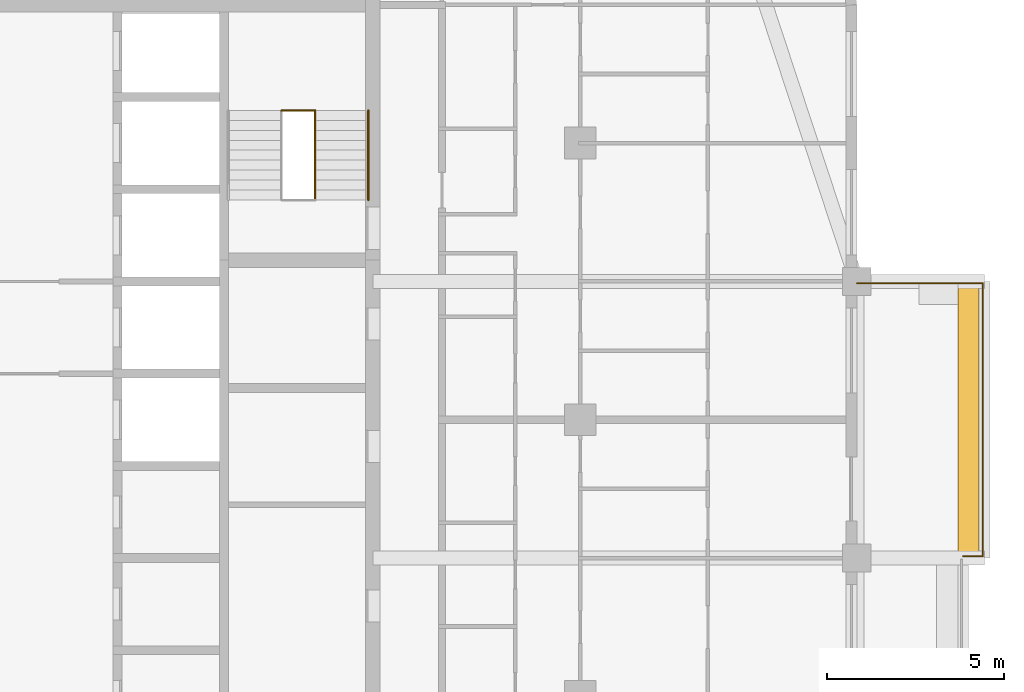
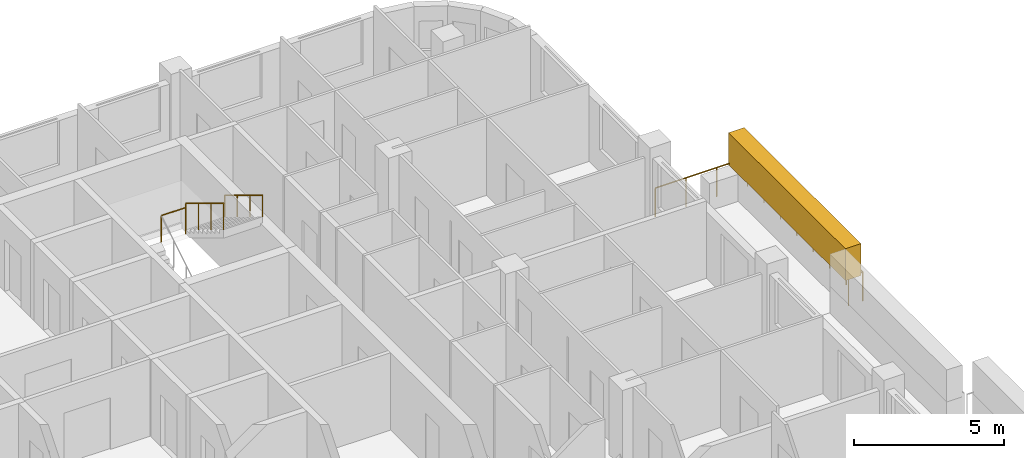
# One storey, part 16 of 16: 4 railings, 1 covering, 1 element without a shape of its own.
"""IFC4 building model written with IfcOpenShell, lengths in metres."""

from ifc_helpers import new_model, si_unit, direction, frame, origin, origin_2d, place, context, subcontext, project, spatial, rectangle, circle, extrude, material, layer, layer_set, type_object, element, aggregate, save


model = new_model("IFC4")

# Units and contexts
model_context = context("Model", 3, precision=1e-05, world=origin(), true_north=direction((0.0, 1.0)))
body_context = subcontext(model_context, "Body", "Model", "MODEL_VIEW")
ifc_project = project(units=[si_unit("LENGTHUNIT", "METRE"), si_unit("AREAUNIT", "SQUARE_METRE"), si_unit("VOLUMEUNIT", "CUBIC_METRE"), si_unit("PLANEANGLEUNIT", "RADIAN"), si_unit("MASSUNIT", "GRAM", prefix="KILO")], contexts=[model_context])

# Site, building, storey
site_placement = place(None, origin())
site = spatial("IfcSite", under=ifc_project, at=site_placement, CompositionType="ELEMENT")
building_placement = place(site_placement, origin())
building = spatial("IfcBuilding", under=site, at=building_placement, Name="Ludao Terraces", CompositionType="ELEMENT")
storey_placement = place(building_placement, frame((0.0, 0.0, 207.5)))
storey = spatial("IfcBuildingStorey", under=building, at=storey_placement, Name="L56", CompositionType="ELEMENT", Elevation=207.5)

# Railing
ifc_material_1 = material(Name="Stainless steel 304", Category="steel")
railing_type_1 = type_object("IfcRailingType", Name="ENV Balcony glass guard 1200", PredefinedType="GUARDRAIL", material=ifc_material_1)
railing_1_placement = place(storey_placement, frame((111.39990234375, 68.949951171875, 0.0)))
element("IfcRailing", 1, at=railing_1_placement, inside=storey, type_object=railing_type_1, Name="Balcony guard L56 E3", PredefinedType="GUARDRAIL", context=body_context, shape_type="SweptSolid", body=[
    extrude(circle(Radius=0.02392578125, at=origin_2d()), frame((0.0, 0.0, 1.17578125), z_axis=(1.0, 0.0, 0.0), x_axis=(0.0, 1.0, 0.0)), (0.0, 0.0, 1.0), 0.550048828125),
    extrude(circle(Radius=0.02392578125, at=origin_2d()), frame((0.550048828125, 0.0, 1.17578125), z_axis=(0.0, 1.0, 0.0), x_axis=(-1.0, 0.0, 0.0)), (0.0, 0.0, 1.0), 7.699951171875),
    extrude(circle(Radius=0.02392578125, at=origin_2d()), frame((0.550048828125, 7.699951171875, 1.17578125), z_axis=(-1.0, 0.0, 0.0), x_axis=(0.0, -1.0, 0.0)), (0.0, 0.0, 1.0), 3.550048828125),
    extrude(circle(Radius=0.02099609375, at=origin_2d()), origin(), (0.0, 0.0, 1.0), 1.15185546875),
    extrude(circle(Radius=0.02099609375, at=origin_2d()), frame((0.550048828125, 0.0, 0.0)), (0.0, 0.0, 1.0), 1.15185546875),
    extrude(circle(Radius=0.02099609375, at=origin_2d()), frame((0.550048828125, 1.10009765625, 0.0)), (0.0, 0.0, 1.0), 1.15185546875),
    extrude(circle(Radius=0.02099609375, at=origin_2d()), frame((0.550048828125, 2.199951171875, 0.0)), (0.0, 0.0, 1.0), 1.15185546875),
    extrude(circle(Radius=0.02099609375, at=origin_2d()), frame((0.550048828125, 3.300048828125, 0.0)), (0.0, 0.0, 1.0), 1.15185546875),
    extrude(circle(Radius=0.02099609375, at=origin_2d()), frame((0.550048828125, 4.39990234375, 0.0)), (0.0, 0.0, 1.0), 1.15185546875),
    extrude(circle(Radius=0.02099609375, at=origin_2d()), frame((0.550048828125, 5.5, 0.0)), (0.0, 0.0, 1.0), 1.15185546875),
    extrude(circle(Radius=0.02099609375, at=origin_2d()), frame((0.550048828125, 6.599853515625, 0.0)), (0.0, 0.0, 1.0), 1.15185546875),
    extrude(circle(Radius=0.02099609375, at=origin_2d()), frame((0.550048828125, 7.699951171875, 0.0)), (0.0, 0.0, 1.0), 1.15185546875),
    extrude(circle(Radius=0.02099609375, at=origin_2d()), frame((-0.63330078125, 7.699951171875, 0.0)), (0.0, 0.0, 1.0), 1.15185546875),
    extrude(circle(Radius=0.02099609375, at=origin_2d()), frame((-1.816650390625, 7.699951171875, 0.0)), (0.0, 0.0, 1.0), 1.15185546875),
    extrude(circle(Radius=0.02099609375, at=origin_2d()), frame((-3.0, 7.699951171875, 0.0)), (0.0, 0.0, 1.0), 1.15185546875),
])

# Covering
ifc_material_2 = material(Name="Planting")
ifc_layer = layer(ifc_material_2, 0.60009765625)
ifc_layer_set = layer_set([ifc_layer], Name="ENV Planting hedge 600x1300")
covering_type = type_object("IfcCoveringType", Name="ENV Planting hedge 600x1300", PredefinedType="USERDEFINED", material=ifc_layer_set)
covering_placement = place(storey_placement, frame((111.550048828125, 72.800048828125, 1.10009765625), z_axis=(0.0, 0.0, 1.0), x_axis=(1.0, 0.0, 0.0)))
element("IfcCovering", 2, at=covering_placement, inside=storey, type_object=covering_type, Name="Planting hedge L56-E3", ObjectType="PLANTING", PredefinedType="USERDEFINED", context=body_context, shape_type="SweptSolid", body=[
    extrude(rectangle(XDim=0.60009765625, YDim=7.800048828125, at=origin_2d()), origin(), (0.0, 0.0, 1.0), 1.300048828125),
])

# Stair, railings
ifc_material_3 = material(Name="Concrete C40", Category="concrete")
stair_type = type_object("IfcStairType", Name="INT Stair", PredefinedType="HALF_TURN_STAIR", material=ifc_material_3)
stair_placement = place(storey_placement, origin())
stair = element("IfcStair", 3, at=stair_placement, inside=storey, type_object=stair_type, Name="EXIT STAIR 2", PredefinedType="HALF_TURN_STAIR")
railing_type_2 = type_object("IfcRailingType", Name="INT Stair guard 1100", PredefinedType="GUARDRAIL", material=ifc_material_1)
railing_2_placement = place(storey_placement, frame((93.125, 81.52001953125, 1.8701171875)))
railing_2 = element("IfcRailing", 4, at=railing_2_placement, type_object=railing_type_2, Name="ST-L56-S2-R2G", PredefinedType="GUARDRAIL", context=body_context, shape_type="SweptSolid", body=[
    extrude(circle(Radius=0.02392578125, at=origin_2d()), frame((0.0, 0.0, 1.076171875), z_axis=(0.0, -0.854821627497, 0.518921945155), x_axis=(1.0, 0.0, 0.0)), (0.0, 0.0, 1.0), 2.947998046875),
    extrude(circle(Radius=0.02099609375, at=origin_2d()), origin(), (0.0, 0.0, 1.0), 1.052001953125),
    extrude(circle(Radius=0.02099609375, at=origin_2d()), frame((0.0, -0.840087890625, 0.510009765625)), (0.0, 0.0, 1.0), 1.052001953125),
    extrude(circle(Radius=0.02099609375, at=origin_2d()), frame((0.0, -1.679931640625, 1.019775390625)), (0.0, 0.0, 1.0), 1.052001953125),
    extrude(circle(Radius=0.02099609375, at=origin_2d()), frame((0.0, -2.52001953125, 1.52978515625)), (0.0, 0.0, 1.0), 1.052001953125),
])
railing_3_placement = place(storey_placement, frame((92.175048828125, 81.52001953125, 1.699951171875)))
railing_3 = element("IfcRailing", 5, at=railing_3_placement, type_object=railing_type_2, Name="ST-L56-S2-E1G", PredefinedType="GUARDRAIL", context=body_context, shape_type="SweptSolid", body=[
    extrude(circle(Radius=0.02392578125, at=origin_2d()), frame((0.0, 0.0, 1.076171875), z_axis=(1.0, 0.0, 0.0), x_axis=(0.0, 1.0, 0.0)), (0.0, 0.0, 1.0), 0.949951171875),
    extrude(circle(Radius=0.02099609375, at=origin_2d()), origin(), (0.0, 0.0, 1.0), 1.052001953125),
    extrude(circle(Radius=0.02099609375, at=origin_2d()), frame((0.949951171875, 0.0, 0.0)), (0.0, 0.0, 1.0), 1.052001953125),
])
railing_type_3 = type_object("IfcRailingType", Name="INT Stair handrail 900", PredefinedType="HANDRAIL", material=ifc_material_1)
railing_4_placement = place(storey_placement, frame((94.625, 81.52001953125, 1.8701171875)))
railing_4 = element("IfcRailing", 6, at=railing_4_placement, type_object=railing_type_3, Name="ST-L56-S2-R2H", PredefinedType="HANDRAIL", context=body_context, shape_type="SweptSolid", body=[
    extrude(circle(Radius=0.02392578125, at=origin_2d()), frame((0.0, 0.0, 0.8759765625), z_axis=(0.0, -0.854821627497, 0.518921945155), x_axis=(1.0, 0.0, 0.0)), (0.0, 0.0, 1.0), 2.947998046875),
    extrude(circle(Radius=0.02099609375, at=origin_2d()), origin(), (0.0, 0.0, 1.0), 0.851806640625),
    extrude(circle(Radius=0.02099609375, at=origin_2d()), frame((0.0, -0.840087890625, 0.510009765625)), (0.0, 0.0, 1.0), 0.851806640625),
    extrude(circle(Radius=0.02099609375, at=origin_2d()), frame((0.0, -1.679931640625, 1.019775390625)), (0.0, 0.0, 1.0), 0.851806640625),
    extrude(circle(Radius=0.02099609375, at=origin_2d()), frame((0.0, -2.52001953125, 1.52978515625)), (0.0, 0.0, 1.0), 0.851806640625),
])
aggregate(stair, [railing_2, railing_4, railing_3])

save(model, "model.ifc")
